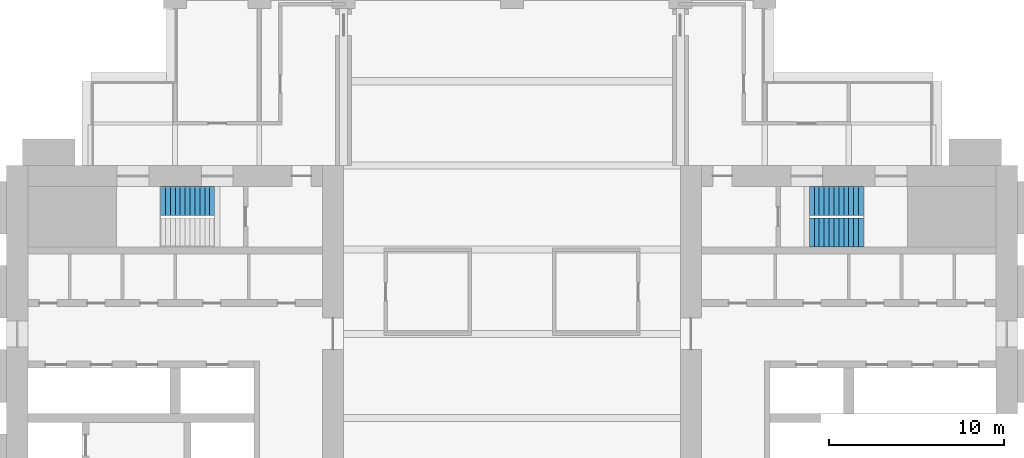
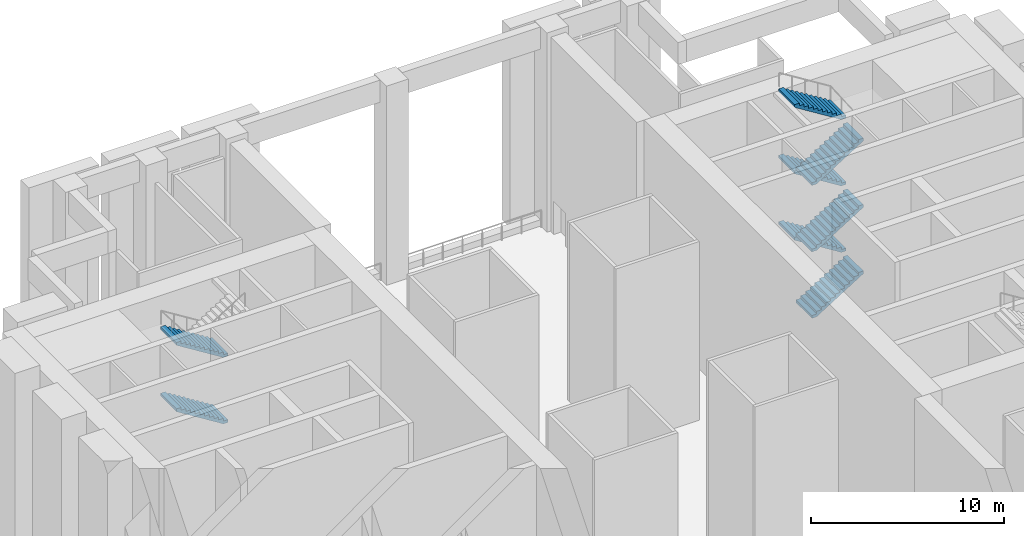
# One storey, part 7 of 10: 8 stair flights, 2 elements without a shape of their own.
"""IFC4 building model written with IfcOpenShell, lengths in metres."""

from ifc_helpers import new_model, si_unit, direction, frame, origin, place, context, subcontext, project, spatial, polyline, outline, extrude, material, type_object, element, aggregate, save


model = new_model("IFC4")

# Units and contexts
model_context = context("Model", 3, precision=1e-05, world=origin(), true_north=direction((0.0, 1.0)))
body_context = subcontext(model_context, "Body", "Model", "MODEL_VIEW")
ifc_project = project(units=[si_unit("LENGTHUNIT", "METRE"), si_unit("AREAUNIT", "SQUARE_METRE"), si_unit("VOLUMEUNIT", "CUBIC_METRE"), si_unit("PLANEANGLEUNIT", "RADIAN"), si_unit("MASSUNIT", "GRAM", prefix="KILO")], contexts=[model_context])

# Site, building, storey
site_placement = place(None, origin())
site = spatial("IfcSite", under=ifc_project, at=site_placement, CompositionType="ELEMENT")
building_placement = place(site_placement, origin())
building = spatial("IfcBuilding", under=site, at=building_placement, Name="Baori Bourse Tower", CompositionType="ELEMENT")
storey_placement = place(building_placement, frame((0.0, 0.0, 91.5)))
storey = spatial("IfcBuildingStorey", under=building, at=storey_placement, Name="L20", CompositionType="ELEMENT", Elevation=91.5)

# Stair, stair flights
ifc_material_1 = material(Name="Concrete f'c 50 MPa", Category="concrete")
stair_type = type_object("IfcStairType", Name="Core stair", PredefinedType="HALF_TURN_STAIR", material=ifc_material_1)
stair_1_placement = place(storey_placement, origin())
stair_1 = element("IfcStair", 1, at=stair_1_placement, inside=storey, type_object=stair_type, Name="L20 Stair WB", PredefinedType="HALF_TURN_STAIR")
ifc_material_2 = material(Name="Concrete f'c 50 MPa", Category="concrete")
stair_flight_type = type_object("IfcStairFlightType", Name="Core stair flight", PredefinedType="STRAIGHT", material=ifc_material_2)
stair_flight_1_placement = place(storey_placement, frame((11.85009765625, 36.375, 4.199951171875), z_axis=(0.0, 0.0, 1.0), x_axis=(-1.0, 0.0, 0.0)))
stair_flight_1 = element("IfcStairFlight", 2, at=stair_flight_1_placement, type_object=stair_flight_type, Name="ST2 flight 3", NumberOfRisers=12, NumberOfTreads=11, PredefinedType="STRAIGHT", RiserHeight=0.175, TreadLength=0.28, context=body_context, shape_type="SweptSolid", body=[
    extrude(outline(polyline([(0.0, 0.0), (0.0, 0.175048828125), (0.280029296875, 0.175048828125), (0.280029296875, 0.35009765625), (0.56005859375, 0.35009765625), (0.56005859375, 0.52490234375), (0.840087890625, 0.52490234375), (0.840087890625, 0.699951171875), (1.1201171875, 0.699951171875), (1.1201171875, 0.875), (1.39990234375, 0.875), (1.39990234375, 1.050048828125), (1.679931640625, 1.050048828125), (1.679931640625, 1.22509765625), (1.9599609375, 1.22509765625), (1.9599609375, 1.39990234375), (2.239990234375, 1.39990234375), (2.239990234375, 1.574951171875), (2.52001953125, 1.574951171875), (2.52001953125, 1.75), (2.800048828125, 1.75), (2.800048828125, 1.925048828125), (3.080078125, 1.925048828125), (3.080078125, 2.10009765625), (3.080078125, 1.748291015625), (0.28271484375, 0.0), (0.0, 0.0)])), frame((0.0, 0.824951171875, 0.0), z_axis=(0.0, -1.0, 0.0), x_axis=(1.0, 0.0, 0.0)), (0.0, 0.0, 1.0), 1.64990234375),
])
stair_flight_2_placement = place(storey_placement, frame((11.85009765625, 36.375, 8.39990234375), z_axis=(0.0, 0.0, 1.0), x_axis=(-1.0, 0.0, 0.0)))
stair_flight_2 = element("IfcStairFlight", 3, at=stair_flight_2_placement, type_object=stair_flight_type, Name="ST2 flight 5", NumberOfRisers=12, NumberOfTreads=11, PredefinedType="STRAIGHT", RiserHeight=0.175, TreadLength=0.28, context=body_context, shape_type="SweptSolid", body=[
    extrude(outline(polyline([(0.0, 0.0), (0.0, 0.175048828125), (0.280029296875, 0.175048828125), (0.280029296875, 0.35009765625), (0.56005859375, 0.35009765625), (0.56005859375, 0.52490234375), (0.840087890625, 0.52490234375), (0.840087890625, 0.699951171875), (1.1201171875, 0.699951171875), (1.1201171875, 0.875), (1.39990234375, 0.875), (1.39990234375, 1.050048828125), (1.679931640625, 1.050048828125), (1.679931640625, 1.22509765625), (1.9599609375, 1.22509765625), (1.9599609375, 1.39990234375), (2.239990234375, 1.39990234375), (2.239990234375, 1.574951171875), (2.52001953125, 1.574951171875), (2.52001953125, 1.75), (2.800048828125, 1.75), (2.800048828125, 1.925048828125), (3.080078125, 1.925048828125), (3.080078125, 2.10009765625), (3.080078125, 1.748291015625), (0.28271484375, 0.0), (0.0, 0.0)])), frame((0.0, 0.824951171875, 0.0), z_axis=(0.0, -1.0, 0.0), x_axis=(1.0, 0.0, 0.0)), (0.0, 0.0, 1.0), 1.64990234375),
])
aggregate(stair_1, [stair_flight_1, stair_flight_2])

stair_2_placement = place(storey_placement, origin())
stair_2 = element("IfcStair", 4, at=stair_2_placement, inside=storey, type_object=stair_type, Name="L20 Stair EB", PredefinedType="HALF_TURN_STAIR")
stair_flight_3_placement = place(storey_placement, frame((45.75, 34.574951171875, 0.0), z_axis=(0.0, 0.0, 1.0), x_axis=(1.0, 0.0, 0.0)))
stair_flight_3 = element("IfcStairFlight", 5, at=stair_flight_3_placement, type_object=stair_flight_type, Name="ST4 flight 1", NumberOfRisers=12, NumberOfTreads=11, PredefinedType="STRAIGHT", RiserHeight=0.175, TreadLength=0.28, context=body_context, shape_type="SweptSolid", body=[
    extrude(outline(polyline([(0.0, 0.0), (0.0, 0.175048828125), (0.280029296875, 0.175048828125), (0.280029296875, 0.35009765625), (0.56005859375, 0.35009765625), (0.56005859375, 0.52490234375), (0.840087890625, 0.52490234375), (0.840087890625, 0.699951171875), (1.1201171875, 0.699951171875), (1.1201171875, 0.875), (1.39990234375, 0.875), (1.39990234375, 1.050048828125), (1.679931640625, 1.050048828125), (1.679931640625, 1.22509765625), (1.9599609375, 1.22509765625), (1.9599609375, 1.39990234375), (2.239990234375, 1.39990234375), (2.239990234375, 1.574951171875), (2.52001953125, 1.574951171875), (2.52001953125, 1.75), (2.800048828125, 1.75), (2.800048828125, 1.925048828125), (3.080078125, 1.925048828125), (3.080078125, 2.10009765625), (3.080078125, 1.748291015625), (0.28271484375, 0.0), (0.0, 0.0)])), frame((0.0, 0.824951171875, 0.0), z_axis=(0.0, -1.0, 0.0), x_axis=(1.0, 0.0, 0.0)), (0.0, 0.0, 1.0), 1.64990234375),
])
stair_flight_4_placement = place(storey_placement, frame((48.830078125, 36.375, 2.10009765625), z_axis=(0.0, 0.0, 1.0), x_axis=(-1.0, 0.0, 0.0)))
stair_flight_4 = element("IfcStairFlight", 6, at=stair_flight_4_placement, type_object=stair_flight_type, Name="ST4 flight 2", NumberOfRisers=12, NumberOfTreads=11, PredefinedType="STRAIGHT", RiserHeight=0.175, TreadLength=0.28, context=body_context, shape_type="SweptSolid", body=[
    extrude(outline(polyline([(0.0, 0.0), (0.0, 0.175048828125), (0.280029296875, 0.175048828125), (0.280029296875, 0.35009765625), (0.56005859375, 0.35009765625), (0.56005859375, 0.52490234375), (0.840087890625, 0.52490234375), (0.840087890625, 0.699951171875), (1.1201171875, 0.699951171875), (1.1201171875, 0.875), (1.39990234375, 0.875), (1.39990234375, 1.050048828125), (1.679931640625, 1.050048828125), (1.679931640625, 1.22509765625), (1.9599609375, 1.22509765625), (1.9599609375, 1.39990234375), (2.239990234375, 1.39990234375), (2.239990234375, 1.574951171875), (2.52001953125, 1.574951171875), (2.52001953125, 1.75), (2.800048828125, 1.75), (2.800048828125, 1.925048828125), (3.080078125, 1.925048828125), (3.080078125, 2.10009765625), (3.080078125, 1.748291015625), (0.28271484375, 0.0), (0.0, 0.0)])), frame((0.0, 0.824951171875, 0.0), z_axis=(0.0, -1.0, 0.0), x_axis=(1.0, 0.0, 0.0)), (0.0, 0.0, 1.0), 1.64990234375),
])
stair_flight_5_placement = place(storey_placement, frame((45.75, 34.574951171875, 4.199951171875), z_axis=(0.0, 0.0, 1.0), x_axis=(1.0, 0.0, 0.0)))
stair_flight_5 = element("IfcStairFlight", 7, at=stair_flight_5_placement, type_object=stair_flight_type, Name="ST4 flight 3", NumberOfRisers=12, NumberOfTreads=11, PredefinedType="STRAIGHT", RiserHeight=0.175, TreadLength=0.28, context=body_context, shape_type="SweptSolid", body=[
    extrude(outline(polyline([(0.0, 0.0), (0.0, 0.175048828125), (0.280029296875, 0.175048828125), (0.280029296875, 0.35009765625), (0.56005859375, 0.35009765625), (0.56005859375, 0.52490234375), (0.840087890625, 0.52490234375), (0.840087890625, 0.699951171875), (1.1201171875, 0.699951171875), (1.1201171875, 0.875), (1.39990234375, 0.875), (1.39990234375, 1.050048828125), (1.679931640625, 1.050048828125), (1.679931640625, 1.22509765625), (1.9599609375, 1.22509765625), (1.9599609375, 1.39990234375), (2.239990234375, 1.39990234375), (2.239990234375, 1.574951171875), (2.52001953125, 1.574951171875), (2.52001953125, 1.75), (2.800048828125, 1.75), (2.800048828125, 1.925048828125), (3.080078125, 1.925048828125), (3.080078125, 2.10009765625), (3.080078125, 1.748291015625), (0.28271484375, 0.0), (0.0, 0.0)])), frame((0.0, 0.824951171875, 0.0), z_axis=(0.0, -1.0, 0.0), x_axis=(1.0, 0.0, 0.0)), (0.0, 0.0, 1.0), 1.64990234375),
])
stair_flight_6_placement = place(storey_placement, frame((48.830078125, 36.375, 6.300048828125), z_axis=(0.0, 0.0, 1.0), x_axis=(-1.0, 0.0, 0.0)))
stair_flight_6 = element("IfcStairFlight", 8, at=stair_flight_6_placement, type_object=stair_flight_type, Name="ST4 flight 4", NumberOfRisers=12, NumberOfTreads=11, PredefinedType="STRAIGHT", RiserHeight=0.175, TreadLength=0.28, context=body_context, shape_type="SweptSolid", body=[
    extrude(outline(polyline([(0.0, 0.0), (0.0, 0.175048828125), (0.280029296875, 0.175048828125), (0.280029296875, 0.35009765625), (0.56005859375, 0.35009765625), (0.56005859375, 0.52490234375), (0.840087890625, 0.52490234375), (0.840087890625, 0.699951171875), (1.1201171875, 0.699951171875), (1.1201171875, 0.875), (1.39990234375, 0.875), (1.39990234375, 1.050048828125), (1.679931640625, 1.050048828125), (1.679931640625, 1.22509765625), (1.9599609375, 1.22509765625), (1.9599609375, 1.39990234375), (2.239990234375, 1.39990234375), (2.239990234375, 1.574951171875), (2.52001953125, 1.574951171875), (2.52001953125, 1.75), (2.800048828125, 1.75), (2.800048828125, 1.925048828125), (3.080078125, 1.925048828125), (3.080078125, 2.10009765625), (3.080078125, 1.748291015625), (0.28271484375, 0.0), (0.0, 0.0)])), frame((0.0, 0.824951171875, 0.0), z_axis=(0.0, -1.0, 0.0), x_axis=(1.0, 0.0, 0.0)), (0.0, 0.0, 1.0), 1.64990234375),
])
stair_flight_7_placement = place(storey_placement, frame((45.75, 34.574951171875, 8.39990234375), z_axis=(0.0, 0.0, 1.0), x_axis=(1.0, 0.0, 0.0)))
stair_flight_7 = element("IfcStairFlight", 9, at=stair_flight_7_placement, type_object=stair_flight_type, Name="ST4 flight 5", NumberOfRisers=12, NumberOfTreads=11, PredefinedType="STRAIGHT", RiserHeight=0.175, TreadLength=0.28, context=body_context, shape_type="SweptSolid", body=[
    extrude(outline(polyline([(0.0, 0.0), (0.0, 0.175048828125), (0.280029296875, 0.175048828125), (0.280029296875, 0.35009765625), (0.56005859375, 0.35009765625), (0.56005859375, 0.52490234375), (0.840087890625, 0.52490234375), (0.840087890625, 0.699951171875), (1.1201171875, 0.699951171875), (1.1201171875, 0.875), (1.39990234375, 0.875), (1.39990234375, 1.050048828125), (1.679931640625, 1.050048828125), (1.679931640625, 1.22509765625), (1.9599609375, 1.22509765625), (1.9599609375, 1.39990234375), (2.239990234375, 1.39990234375), (2.239990234375, 1.574951171875), (2.52001953125, 1.574951171875), (2.52001953125, 1.75), (2.800048828125, 1.75), (2.800048828125, 1.925048828125), (3.080078125, 1.925048828125), (3.080078125, 2.10009765625), (3.080078125, 1.748291015625), (0.28271484375, 0.0), (0.0, 0.0)])), frame((0.0, 0.824951171875, 0.0), z_axis=(0.0, -1.0, 0.0), x_axis=(1.0, 0.0, 0.0)), (0.0, 0.0, 1.0), 1.64990234375),
])
stair_flight_8_placement = place(storey_placement, frame((48.830078125, 36.375, 10.5), z_axis=(0.0, 0.0, 1.0), x_axis=(-1.0, 0.0, 0.0)))
stair_flight_8 = element("IfcStairFlight", 10, at=stair_flight_8_placement, type_object=stair_flight_type, Name="ST4 flight 6", NumberOfRisers=12, NumberOfTreads=11, PredefinedType="STRAIGHT", RiserHeight=0.175, TreadLength=0.28, context=body_context, shape_type="SweptSolid", body=[
    extrude(outline(polyline([(0.0, 0.0), (0.0, 0.175048828125), (0.280029296875, 0.175048828125), (0.280029296875, 0.35009765625), (0.56005859375, 0.35009765625), (0.56005859375, 0.52490234375), (0.840087890625, 0.52490234375), (0.840087890625, 0.699951171875), (1.1201171875, 0.699951171875), (1.1201171875, 0.875), (1.39990234375, 0.875), (1.39990234375, 1.050048828125), (1.679931640625, 1.050048828125), (1.679931640625, 1.22509765625), (1.9599609375, 1.22509765625), (1.9599609375, 1.39990234375), (2.239990234375, 1.39990234375), (2.239990234375, 1.574951171875), (2.52001953125, 1.574951171875), (2.52001953125, 1.75), (2.800048828125, 1.75), (2.800048828125, 1.925048828125), (3.080078125, 1.925048828125), (3.080078125, 2.10009765625), (3.080078125, 1.748291015625), (0.28271484375, 0.0), (0.0, 0.0)])), frame((0.0, 0.824951171875, 0.0), z_axis=(0.0, -1.0, 0.0), x_axis=(1.0, 0.0, 0.0)), (0.0, 0.0, 1.0), 1.64990234375),
])
aggregate(stair_2, [stair_flight_3, stair_flight_4, stair_flight_5, stair_flight_6, stair_flight_7, stair_flight_8])

save(model, "model.ifc")
